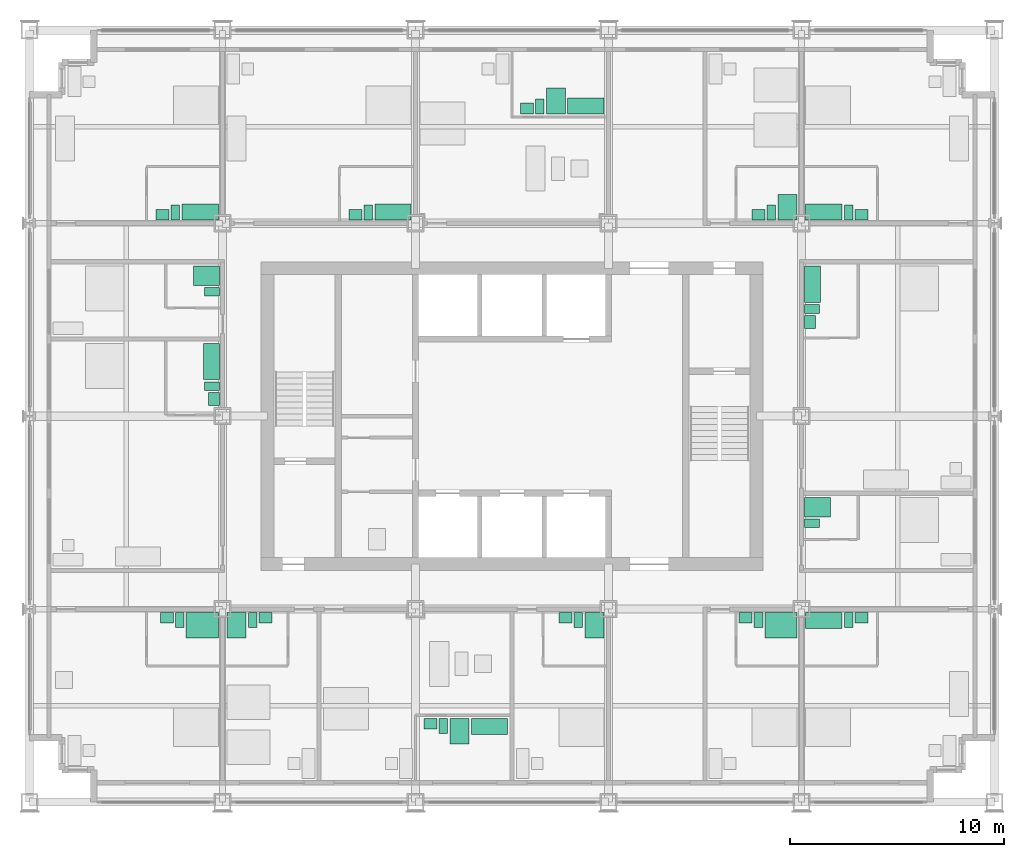
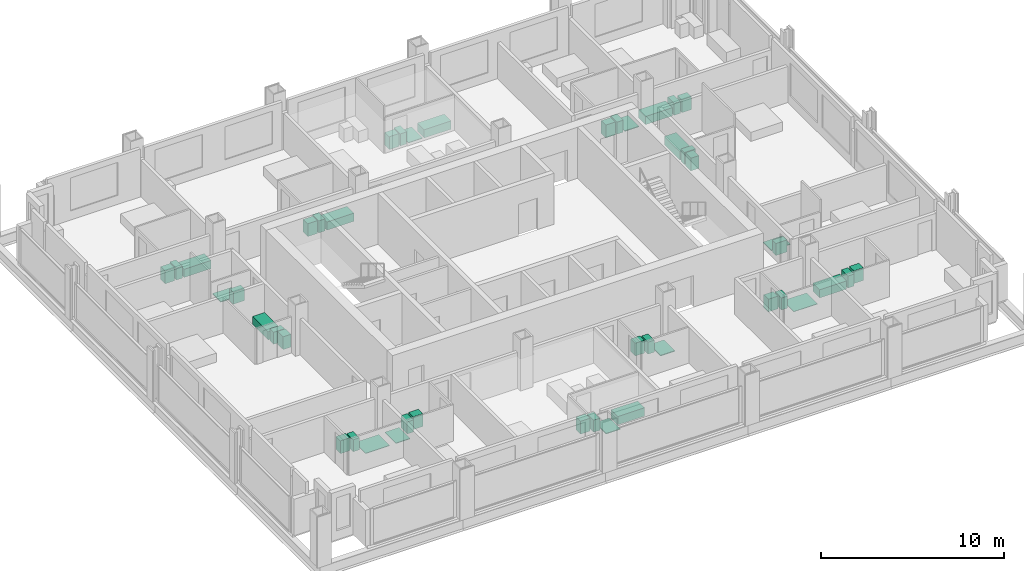
# One storey, part 15 of 16: 45 sanitary terminals.
"""IFC4 building model written with IfcOpenShell, lengths in metres."""

from ifc_helpers import new_model, si_unit, direction, frame, origin, origin_2d, place, context, subcontext, project, spatial, rectangle, extrude, element, save


model = new_model("IFC4")

# Units and contexts
model_context = context("Model", 3, precision=1e-05, world=origin(), true_north=direction((0.0, 1.0)))
body_context = subcontext(model_context, "Body", "Model", "MODEL_VIEW")
ifc_project = project(units=[si_unit("LENGTHUNIT", "METRE"), si_unit("AREAUNIT", "SQUARE_METRE"), si_unit("VOLUMEUNIT", "CUBIC_METRE"), si_unit("PLANEANGLEUNIT", "RADIAN"), si_unit("MASSUNIT", "GRAM", prefix="KILO")], contexts=[model_context])

# Site, building, storey
site_placement = place(None, origin())
site = spatial("IfcSite", under=ifc_project, at=site_placement, CompositionType="ELEMENT")
building_placement = place(site_placement, origin())
building = spatial("IfcBuilding", under=site, at=building_placement, Name="Loomwork Tower", CompositionType="ELEMENT")
storey_placement = place(building_placement, frame((0.0, 0.0, 118.0)))
storey = spatial("IfcBuildingStorey", under=building, at=storey_placement, Name="L31", CompositionType="ELEMENT", Elevation=118.0)

# Sanitary terminals
sanitary_terminal_1_placement = place(storey_placement, frame((8.050048828125, 8.25, 0.0), z_axis=(0.0, 0.0, 1.0), x_axis=(1.0, 0.0, 0.0)))
element("IfcSanitaryTerminal", 1, at=sanitary_terminal_1_placement, inside=storey, Name="Roll-in shower floor L31", PredefinedType="SHOWER", context=body_context, shape_type="SweptSolid", body=[
    extrude(rectangle(XDim=1.5, YDim=1.199951171875, at=origin_2d()), origin(), (0.0, 0.0, 1.0), 0.030029296875),
])
sanitary_terminal_2_placement = place(storey_placement, frame((7.0, 8.5, 0.0), z_axis=(0.0, 0.0, 1.0), x_axis=(1.0, 0.0, 0.0)))
element("IfcSanitaryTerminal", 2, at=sanitary_terminal_2_placement, inside=storey, Name="WC L31", PredefinedType="TOILETPAN", context=body_context, shape_type="SweptSolid", body=[
    extrude(rectangle(XDim=0.39990234375, YDim=0.699951171875, at=origin_2d()), origin(), (0.0, 0.0, 1.0), 0.800048828125),
])
sanitary_terminal_3_placement = place(storey_placement, frame((6.39990234375, 8.60009765625, 0.0), z_axis=(0.0, 0.0, 1.0), x_axis=(1.0, 0.0, 0.0)))
element("IfcSanitaryTerminal", 3, at=sanitary_terminal_3_placement, inside=storey, Name="Basin vanity L31", PredefinedType="WASHHANDBASIN", context=body_context, shape_type="SweptSolid", body=[
    extrude(rectangle(XDim=0.60009765625, YDim=0.5, at=origin_2d()), origin(), (0.0, 0.0, 1.0), 0.85009765625),
])
sanitary_terminal_4_placement = place(storey_placement, frame((9.64990234375, 8.25, 0.0), z_axis=(0.0, 0.0, 1.0), x_axis=(1.0, 0.0, 0.0)))
element("IfcSanitaryTerminal", 4, at=sanitary_terminal_4_placement, inside=storey, Name="Shower tray L31", PredefinedType="SHOWER", context=body_context, shape_type="SweptSolid", body=[
    extrude(rectangle(XDim=0.89990234375, YDim=1.199951171875, at=origin_2d()), origin(), (0.0, 0.0, 1.0), 0.050048828125),
])
sanitary_terminal_5_placement = place(storey_placement, frame((10.39990234375, 8.5, 0.0), z_axis=(0.0, 0.0, 1.0), x_axis=(1.0, 0.0, 0.0)))
element("IfcSanitaryTerminal", 5, at=sanitary_terminal_5_placement, inside=storey, Name="WC L31", PredefinedType="TOILETPAN", context=body_context, shape_type="SweptSolid", body=[
    extrude(rectangle(XDim=0.39990234375, YDim=0.699951171875, at=origin_2d()), origin(), (0.0, 0.0, 1.0), 0.800048828125),
])
sanitary_terminal_6_placement = place(storey_placement, frame((11.0, 8.60009765625, 0.0), z_axis=(0.0, 0.0, 1.0), x_axis=(1.0, 0.0, 0.0)))
element("IfcSanitaryTerminal", 6, at=sanitary_terminal_6_placement, inside=storey, Name="Basin vanity L31", PredefinedType="WASHHANDBASIN", context=body_context, shape_type="SweptSolid", body=[
    extrude(rectangle(XDim=0.60009765625, YDim=0.5, at=origin_2d()), origin(), (0.0, 0.0, 1.0), 0.85009765625),
])
sanitary_terminal_7_placement = place(storey_placement, frame((21.449951171875, 3.52490234375, 0.0), z_axis=(0.0, 0.0, 1.0), x_axis=(1.0, 0.0, 0.0)))
element("IfcSanitaryTerminal", 7, at=sanitary_terminal_7_placement, inside=storey, Name="Bath L31", PredefinedType="BATH", context=body_context, shape_type="SweptSolid", body=[
    extrude(rectangle(XDim=1.699951171875, YDim=0.75, at=origin_2d()), origin(), (0.0, 0.0, 1.0), 0.550048828125),
])
sanitary_terminal_8_placement = place(storey_placement, frame((20.050048828125, 3.300048828125, 0.0), z_axis=(0.0, 0.0, 1.0), x_axis=(1.0, 0.0, 0.0)))
element("IfcSanitaryTerminal", 8, at=sanitary_terminal_8_placement, inside=storey, Name="Shower tray L31", PredefinedType="SHOWER", context=body_context, shape_type="SweptSolid", body=[
    extrude(rectangle(XDim=0.89990234375, YDim=1.199951171875, at=origin_2d()), origin(), (0.0, 0.0, 1.0), 0.050048828125),
])
sanitary_terminal_9_placement = place(storey_placement, frame((19.300048828125, 3.550048828125, 0.0), z_axis=(0.0, 0.0, 1.0), x_axis=(1.0, 0.0, 0.0)))
element("IfcSanitaryTerminal", 9, at=sanitary_terminal_9_placement, inside=storey, Name="WC L31", PredefinedType="TOILETPAN", context=body_context, shape_type="SweptSolid", body=[
    extrude(rectangle(XDim=0.39990234375, YDim=0.699951171875, at=origin_2d()), origin(), (0.0, 0.0, 1.0), 0.800048828125),
])
sanitary_terminal_10_placement = place(storey_placement, frame((18.699951171875, 3.64990234375, 0.0), z_axis=(0.0, 0.0, 1.0), x_axis=(1.0, 0.0, 0.0)))
element("IfcSanitaryTerminal", 10, at=sanitary_terminal_10_placement, inside=storey, Name="Basin vanity L31", PredefinedType="WASHHANDBASIN", context=body_context, shape_type="SweptSolid", body=[
    extrude(rectangle(XDim=0.60009765625, YDim=0.5, at=origin_2d()), origin(), (0.0, 0.0, 1.0), 0.85009765625),
])
sanitary_terminal_11_placement = place(storey_placement, frame((26.35009765625, 8.25, 0.0), z_axis=(0.0, 0.0, 1.0), x_axis=(1.0, 0.0, 0.0)))
element("IfcSanitaryTerminal", 11, at=sanitary_terminal_11_placement, inside=storey, Name="Shower tray L31", PredefinedType="SHOWER", context=body_context, shape_type="SweptSolid", body=[
    extrude(rectangle(XDim=0.89990234375, YDim=1.199951171875, at=origin_2d()), origin(), (0.0, 0.0, 1.0), 0.050048828125),
])
sanitary_terminal_12_placement = place(storey_placement, frame((25.60009765625, 8.5, 0.0), z_axis=(0.0, 0.0, 1.0), x_axis=(1.0, 0.0, 0.0)))
element("IfcSanitaryTerminal", 12, at=sanitary_terminal_12_placement, inside=storey, Name="WC L31", PredefinedType="TOILETPAN", context=body_context, shape_type="SweptSolid", body=[
    extrude(rectangle(XDim=0.39990234375, YDim=0.699951171875, at=origin_2d()), origin(), (0.0, 0.0, 1.0), 0.800048828125),
])
sanitary_terminal_13_placement = place(storey_placement, frame((25.0, 8.60009765625, 0.0), z_axis=(0.0, 0.0, 1.0), x_axis=(1.0, 0.0, 0.0)))
element("IfcSanitaryTerminal", 13, at=sanitary_terminal_13_placement, inside=storey, Name="Basin vanity L31", PredefinedType="WASHHANDBASIN", context=body_context, shape_type="SweptSolid", body=[
    extrude(rectangle(XDim=0.60009765625, YDim=0.5, at=origin_2d()), origin(), (0.0, 0.0, 1.0), 0.85009765625),
])
sanitary_terminal_14_placement = place(storey_placement, frame((35.050048828125, 8.25, 0.0), z_axis=(0.0, 0.0, 1.0), x_axis=(1.0, 0.0, 0.0)))
element("IfcSanitaryTerminal", 14, at=sanitary_terminal_14_placement, inside=storey, Name="Roll-in shower floor L31", PredefinedType="SHOWER", context=body_context, shape_type="SweptSolid", body=[
    extrude(rectangle(XDim=1.5, YDim=1.199951171875, at=origin_2d()), origin(), (0.0, 0.0, 1.0), 0.030029296875),
])
sanitary_terminal_15_placement = place(storey_placement, frame((34.0, 8.5, 0.0), z_axis=(0.0, 0.0, 1.0), x_axis=(1.0, 0.0, 0.0)))
element("IfcSanitaryTerminal", 15, at=sanitary_terminal_15_placement, inside=storey, Name="WC L31", PredefinedType="TOILETPAN", context=body_context, shape_type="SweptSolid", body=[
    extrude(rectangle(XDim=0.39990234375, YDim=0.699951171875, at=origin_2d()), origin(), (0.0, 0.0, 1.0), 0.800048828125),
])
sanitary_terminal_16_placement = place(storey_placement, frame((33.39990234375, 8.60009765625, 0.0), z_axis=(0.0, 0.0, 1.0), x_axis=(1.0, 0.0, 0.0)))
element("IfcSanitaryTerminal", 16, at=sanitary_terminal_16_placement, inside=storey, Name="Basin vanity L31", PredefinedType="WASHHANDBASIN", context=body_context, shape_type="SweptSolid", body=[
    extrude(rectangle(XDim=0.60009765625, YDim=0.5, at=origin_2d()), origin(), (0.0, 0.0, 1.0), 0.85009765625),
])
sanitary_terminal_17_placement = place(storey_placement, frame((37.050048828125, 8.47509765625, 0.0), z_axis=(0.0, 0.0, 1.0), x_axis=(1.0, 0.0, 0.0)))
element("IfcSanitaryTerminal", 17, at=sanitary_terminal_17_placement, inside=storey, Name="Bath L31", PredefinedType="BATH", context=body_context, shape_type="SweptSolid", body=[
    extrude(rectangle(XDim=1.699951171875, YDim=0.75, at=origin_2d()), origin(), (0.0, 0.0, 1.0), 0.550048828125),
])
sanitary_terminal_18_placement = place(storey_placement, frame((38.199951171875, 8.5, 0.0), z_axis=(0.0, 0.0, 1.0), x_axis=(1.0, 0.0, 0.0)))
element("IfcSanitaryTerminal", 18, at=sanitary_terminal_18_placement, inside=storey, Name="WC L31", PredefinedType="TOILETPAN", context=body_context, shape_type="SweptSolid", body=[
    extrude(rectangle(XDim=0.39990234375, YDim=0.699951171875, at=origin_2d()), origin(), (0.0, 0.0, 1.0), 0.800048828125),
])
sanitary_terminal_19_placement = place(storey_placement, frame((38.800048828125, 8.60009765625, 0.0), z_axis=(0.0, 0.0, 1.0), x_axis=(1.0, 0.0, 0.0)))
element("IfcSanitaryTerminal", 19, at=sanitary_terminal_19_placement, inside=storey, Name="Basin vanity L31", PredefinedType="WASHHANDBASIN", context=body_context, shape_type="SweptSolid", body=[
    extrude(rectangle(XDim=0.60009765625, YDim=0.5, at=origin_2d()), origin(), (0.0, 0.0, 1.0), 0.85009765625),
])
sanitary_terminal_20_placement = place(storey_placement, frame((7.949951171875, 27.52490234375, 0.0), z_axis=(0.0, 0.0, 1.0), x_axis=(1.0, 0.0, 0.0)))
element("IfcSanitaryTerminal", 20, at=sanitary_terminal_20_placement, inside=storey, Name="Bath L31", PredefinedType="BATH", context=body_context, shape_type="SweptSolid", body=[
    extrude(rectangle(XDim=1.699951171875, YDim=0.75, at=origin_2d()), origin(), (0.0, 0.0, 1.0), 0.550048828125),
])
sanitary_terminal_21_placement = place(storey_placement, frame((6.800048828125, 27.5, 0.0), z_axis=(0.0, 0.0, 1.0), x_axis=(1.0, 0.0, 0.0)))
element("IfcSanitaryTerminal", 21, at=sanitary_terminal_21_placement, inside=storey, Name="WC L31", PredefinedType="TOILETPAN", context=body_context, shape_type="SweptSolid", body=[
    extrude(rectangle(XDim=0.39990234375, YDim=0.699951171875, at=origin_2d()), origin(), (0.0, 0.0, 1.0), 0.800048828125),
])
sanitary_terminal_22_placement = place(storey_placement, frame((6.199951171875, 27.39990234375, 0.0), z_axis=(0.0, 0.0, 1.0), x_axis=(1.0, 0.0, 0.0)))
element("IfcSanitaryTerminal", 22, at=sanitary_terminal_22_placement, inside=storey, Name="Basin vanity L31", PredefinedType="WASHHANDBASIN", context=body_context, shape_type="SweptSolid", body=[
    extrude(rectangle(XDim=0.60009765625, YDim=0.5, at=origin_2d()), origin(), (0.0, 0.0, 1.0), 0.85009765625),
])
sanitary_terminal_23_placement = place(storey_placement, frame((16.949951171875, 27.52490234375, 0.0), z_axis=(0.0, 0.0, 1.0), x_axis=(1.0, 0.0, 0.0)))
element("IfcSanitaryTerminal", 23, at=sanitary_terminal_23_placement, inside=storey, Name="Bath L31", PredefinedType="BATH", context=body_context, shape_type="SweptSolid", body=[
    extrude(rectangle(XDim=1.699951171875, YDim=0.75, at=origin_2d()), origin(), (0.0, 0.0, 1.0), 0.550048828125),
])
sanitary_terminal_24_placement = place(storey_placement, frame((15.800048828125, 27.5, 0.0), z_axis=(0.0, 0.0, 1.0), x_axis=(1.0, 0.0, 0.0)))
element("IfcSanitaryTerminal", 24, at=sanitary_terminal_24_placement, inside=storey, Name="WC L31", PredefinedType="TOILETPAN", context=body_context, shape_type="SweptSolid", body=[
    extrude(rectangle(XDim=0.39990234375, YDim=0.699951171875, at=origin_2d()), origin(), (0.0, 0.0, 1.0), 0.800048828125),
])
sanitary_terminal_25_placement = place(storey_placement, frame((15.199951171875, 27.39990234375, 0.0), z_axis=(0.0, 0.0, 1.0), x_axis=(1.0, 0.0, 0.0)))
element("IfcSanitaryTerminal", 25, at=sanitary_terminal_25_placement, inside=storey, Name="Basin vanity L31", PredefinedType="WASHHANDBASIN", context=body_context, shape_type="SweptSolid", body=[
    extrude(rectangle(XDim=0.60009765625, YDim=0.5, at=origin_2d()), origin(), (0.0, 0.0, 1.0), 0.85009765625),
])
sanitary_terminal_26_placement = place(storey_placement, frame((25.949951171875, 32.47509765625, 0.0), z_axis=(0.0, 0.0, 1.0), x_axis=(1.0, 0.0, 0.0)))
element("IfcSanitaryTerminal", 26, at=sanitary_terminal_26_placement, inside=storey, Name="Bath L31", PredefinedType="BATH", context=body_context, shape_type="SweptSolid", body=[
    extrude(rectangle(XDim=1.699951171875, YDim=0.75, at=origin_2d()), origin(), (0.0, 0.0, 1.0), 0.550048828125),
])
sanitary_terminal_27_placement = place(storey_placement, frame((24.550048828125, 32.699951171875, 0.0), z_axis=(0.0, 0.0, 1.0), x_axis=(1.0, 0.0, 0.0)))
element("IfcSanitaryTerminal", 27, at=sanitary_terminal_27_placement, inside=storey, Name="Shower tray L31", PredefinedType="SHOWER", context=body_context, shape_type="SweptSolid", body=[
    extrude(rectangle(XDim=0.89990234375, YDim=1.199951171875, at=origin_2d()), origin(), (0.0, 0.0, 1.0), 0.050048828125),
])
sanitary_terminal_28_placement = place(storey_placement, frame((23.800048828125, 32.449951171875, 0.0), z_axis=(0.0, 0.0, 1.0), x_axis=(1.0, 0.0, 0.0)))
element("IfcSanitaryTerminal", 28, at=sanitary_terminal_28_placement, inside=storey, Name="WC L31", PredefinedType="TOILETPAN", context=body_context, shape_type="SweptSolid", body=[
    extrude(rectangle(XDim=0.39990234375, YDim=0.699951171875, at=origin_2d()), origin(), (0.0, 0.0, 1.0), 0.800048828125),
])
sanitary_terminal_29_placement = place(storey_placement, frame((23.199951171875, 32.35009765625, 0.0), z_axis=(0.0, 0.0, 1.0), x_axis=(1.0, 0.0, 0.0)))
element("IfcSanitaryTerminal", 29, at=sanitary_terminal_29_placement, inside=storey, Name="Basin vanity L31", PredefinedType="WASHHANDBASIN", context=body_context, shape_type="SweptSolid", body=[
    extrude(rectangle(XDim=0.60009765625, YDim=0.5, at=origin_2d()), origin(), (0.0, 0.0, 1.0), 0.85009765625),
])
sanitary_terminal_30_placement = place(storey_placement, frame((35.35009765625, 27.75, 0.0), z_axis=(0.0, 0.0, 1.0), x_axis=(1.0, 0.0, 0.0)))
element("IfcSanitaryTerminal", 30, at=sanitary_terminal_30_placement, inside=storey, Name="Shower tray L31", PredefinedType="SHOWER", context=body_context, shape_type="SweptSolid", body=[
    extrude(rectangle(XDim=0.89990234375, YDim=1.199951171875, at=origin_2d()), origin(), (0.0, 0.0, 1.0), 0.050048828125),
])
sanitary_terminal_31_placement = place(storey_placement, frame((34.60009765625, 27.5, 0.0), z_axis=(0.0, 0.0, 1.0), x_axis=(1.0, 0.0, 0.0)))
element("IfcSanitaryTerminal", 31, at=sanitary_terminal_31_placement, inside=storey, Name="WC L31", PredefinedType="TOILETPAN", context=body_context, shape_type="SweptSolid", body=[
    extrude(rectangle(XDim=0.39990234375, YDim=0.699951171875, at=origin_2d()), origin(), (0.0, 0.0, 1.0), 0.800048828125),
])
sanitary_terminal_32_placement = place(storey_placement, frame((34.0, 27.39990234375, 0.0), z_axis=(0.0, 0.0, 1.0), x_axis=(1.0, 0.0, 0.0)))
element("IfcSanitaryTerminal", 32, at=sanitary_terminal_32_placement, inside=storey, Name="Basin vanity L31", PredefinedType="WASHHANDBASIN", context=body_context, shape_type="SweptSolid", body=[
    extrude(rectangle(XDim=0.60009765625, YDim=0.5, at=origin_2d()), origin(), (0.0, 0.0, 1.0), 0.85009765625),
])
sanitary_terminal_33_placement = place(storey_placement, frame((37.050048828125, 27.52490234375, 0.0), z_axis=(0.0, 0.0, 1.0), x_axis=(1.0, 0.0, 0.0)))
element("IfcSanitaryTerminal", 33, at=sanitary_terminal_33_placement, inside=storey, Name="Bath L31", PredefinedType="BATH", context=body_context, shape_type="SweptSolid", body=[
    extrude(rectangle(XDim=1.699951171875, YDim=0.75, at=origin_2d()), origin(), (0.0, 0.0, 1.0), 0.550048828125),
])
sanitary_terminal_34_placement = place(storey_placement, frame((38.199951171875, 27.5, 0.0), z_axis=(0.0, 0.0, 1.0), x_axis=(1.0, 0.0, 0.0)))
element("IfcSanitaryTerminal", 34, at=sanitary_terminal_34_placement, inside=storey, Name="WC L31", PredefinedType="TOILETPAN", context=body_context, shape_type="SweptSolid", body=[
    extrude(rectangle(XDim=0.39990234375, YDim=0.699951171875, at=origin_2d()), origin(), (0.0, 0.0, 1.0), 0.800048828125),
])
sanitary_terminal_35_placement = place(storey_placement, frame((38.800048828125, 27.39990234375, 0.0), z_axis=(0.0, 0.0, 1.0), x_axis=(1.0, 0.0, 0.0)))
element("IfcSanitaryTerminal", 35, at=sanitary_terminal_35_placement, inside=storey, Name="Basin vanity L31", PredefinedType="WASHHANDBASIN", context=body_context, shape_type="SweptSolid", body=[
    extrude(rectangle(XDim=0.60009765625, YDim=0.5, at=origin_2d()), origin(), (0.0, 0.0, 1.0), 0.85009765625),
])
sanitary_terminal_36_placement = place(storey_placement, frame((8.47509765625, 20.550048828125, 0.0), z_axis=(0.0, 0.0, 1.0), x_axis=(1.0, 0.0, 0.0)))
element("IfcSanitaryTerminal", 36, at=sanitary_terminal_36_placement, inside=storey, Name="Bath L31", PredefinedType="BATH", context=body_context, shape_type="SweptSolid", body=[
    extrude(rectangle(XDim=0.75, YDim=1.699951171875, at=origin_2d()), origin(), (0.0, 0.0, 1.0), 0.550048828125),
])
sanitary_terminal_37_placement = place(storey_placement, frame((8.5, 19.39990234375, 0.0), z_axis=(0.0, 0.0, 1.0), x_axis=(1.0, 0.0, 0.0)))
element("IfcSanitaryTerminal", 37, at=sanitary_terminal_37_placement, inside=storey, Name="WC L31", PredefinedType="TOILETPAN", context=body_context, shape_type="SweptSolid", body=[
    extrude(rectangle(XDim=0.699951171875, YDim=0.39990234375, at=origin_2d()), origin(), (0.0, 0.0, 1.0), 0.800048828125),
])
sanitary_terminal_38_placement = place(storey_placement, frame((8.60009765625, 18.800048828125, 0.0), z_axis=(0.0, 0.0, 1.0), x_axis=(1.0, 0.0, 0.0)))
element("IfcSanitaryTerminal", 38, at=sanitary_terminal_38_placement, inside=storey, Name="Basin vanity L31", PredefinedType="WASHHANDBASIN", context=body_context, shape_type="SweptSolid", body=[
    extrude(rectangle(XDim=0.5, YDim=0.60009765625, at=origin_2d()), origin(), (0.0, 0.0, 1.0), 0.85009765625),
])
sanitary_terminal_39_placement = place(storey_placement, frame((8.25, 24.550048828125, 0.0), z_axis=(0.0, 0.0, 1.0), x_axis=(1.0, 0.0, 0.0)))
element("IfcSanitaryTerminal", 39, at=sanitary_terminal_39_placement, inside=storey, Name="Shower tray L31", PredefinedType="SHOWER", context=body_context, shape_type="SweptSolid", body=[
    extrude(rectangle(XDim=1.199951171875, YDim=0.89990234375, at=origin_2d()), origin(), (0.0, 0.0, 1.0), 0.050048828125),
])
sanitary_terminal_40_placement = place(storey_placement, frame((8.5, 23.800048828125, 0.0), z_axis=(0.0, 0.0, 1.0), x_axis=(1.0, 0.0, 0.0)))
element("IfcSanitaryTerminal", 40, at=sanitary_terminal_40_placement, inside=storey, Name="WC L31", PredefinedType="TOILETPAN", context=body_context, shape_type="SweptSolid", body=[
    extrude(rectangle(XDim=0.699951171875, YDim=0.39990234375, at=origin_2d()), origin(), (0.0, 0.0, 1.0), 0.800048828125),
])
sanitary_terminal_41_placement = place(storey_placement, frame((36.75, 13.75, 0.0), z_axis=(0.0, 0.0, 1.0), x_axis=(1.0, 0.0, 0.0)))
element("IfcSanitaryTerminal", 41, at=sanitary_terminal_41_placement, inside=storey, Name="Shower tray L31", PredefinedType="SHOWER", context=body_context, shape_type="SweptSolid", body=[
    extrude(rectangle(XDim=1.199951171875, YDim=0.89990234375, at=origin_2d()), origin(), (0.0, 0.0, 1.0), 0.050048828125),
])
sanitary_terminal_42_placement = place(storey_placement, frame((36.5, 13.0, 0.0), z_axis=(0.0, 0.0, 1.0), x_axis=(1.0, 0.0, 0.0)))
element("IfcSanitaryTerminal", 42, at=sanitary_terminal_42_placement, inside=storey, Name="WC L31", PredefinedType="TOILETPAN", context=body_context, shape_type="SweptSolid", body=[
    extrude(rectangle(XDim=0.699951171875, YDim=0.39990234375, at=origin_2d()), origin(), (0.0, 0.0, 1.0), 0.800048828125),
])
sanitary_terminal_43_placement = place(storey_placement, frame((36.52490234375, 24.14990234375, 0.0), z_axis=(0.0, 0.0, 1.0), x_axis=(1.0, 0.0, 0.0)))
element("IfcSanitaryTerminal", 43, at=sanitary_terminal_43_placement, inside=storey, Name="Bath L31", PredefinedType="BATH", context=body_context, shape_type="SweptSolid", body=[
    extrude(rectangle(XDim=0.75, YDim=1.699951171875, at=origin_2d()), origin(), (0.0, 0.0, 1.0), 0.550048828125),
])
sanitary_terminal_44_placement = place(storey_placement, frame((36.5, 23.0, 0.0), z_axis=(0.0, 0.0, 1.0), x_axis=(1.0, 0.0, 0.0)))
element("IfcSanitaryTerminal", 44, at=sanitary_terminal_44_placement, inside=storey, Name="WC L31", PredefinedType="TOILETPAN", context=body_context, shape_type="SweptSolid", body=[
    extrude(rectangle(XDim=0.699951171875, YDim=0.39990234375, at=origin_2d()), origin(), (0.0, 0.0, 1.0), 0.800048828125),
])
sanitary_terminal_45_placement = place(storey_placement, frame((36.39990234375, 22.39990234375, 0.0), z_axis=(0.0, 0.0, 1.0), x_axis=(1.0, 0.0, 0.0)))
element("IfcSanitaryTerminal", 45, at=sanitary_terminal_45_placement, inside=storey, Name="Basin vanity L31", PredefinedType="WASHHANDBASIN", context=body_context, shape_type="SweptSolid", body=[
    extrude(rectangle(XDim=0.5, YDim=0.60009765625, at=origin_2d()), origin(), (0.0, 0.0, 1.0), 0.85009765625),
])

save(model, "model.ifc")
